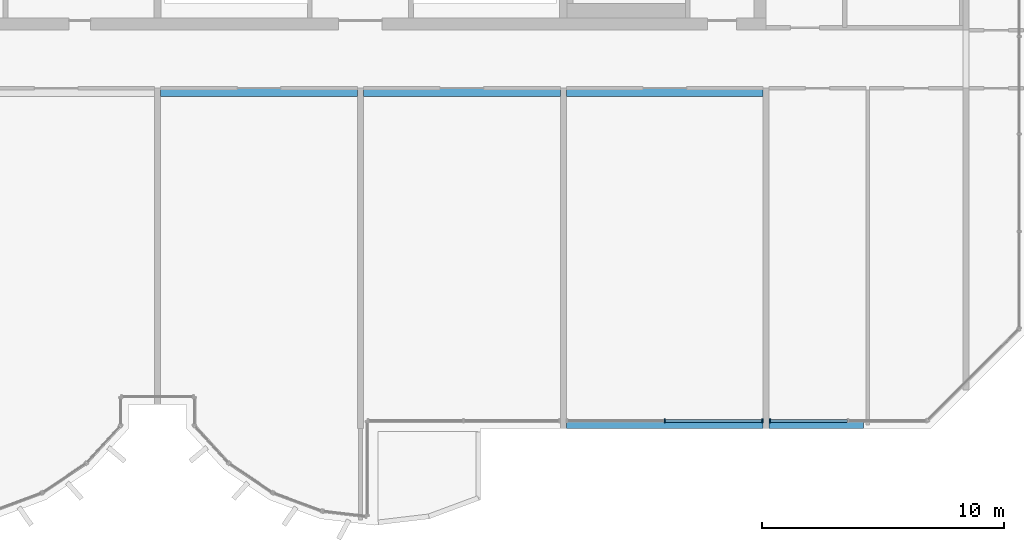
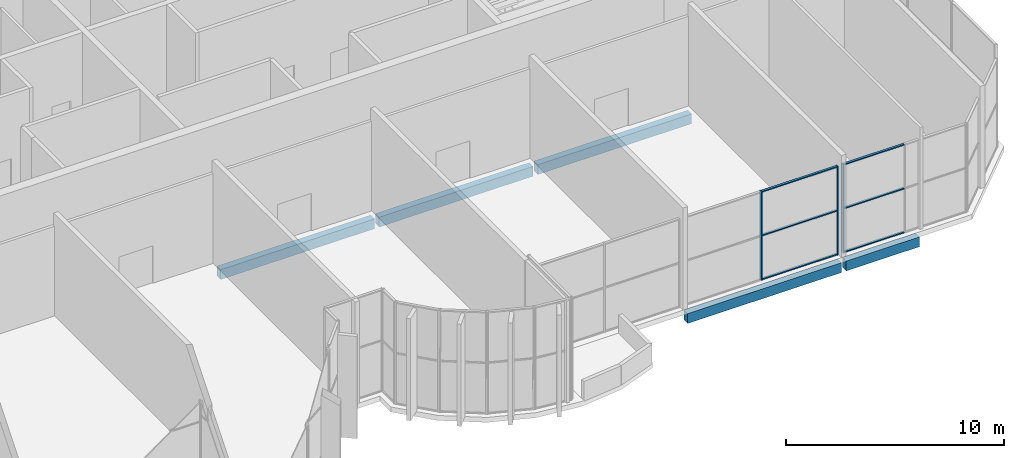
# One storey, part 5 of 17: 9 members, 5 beams, 2 elements without a shape of their own.
"""IFC4 building model written with IfcOpenShell, lengths in metres."""

from ifc_helpers import new_model, si_unit, direction, frame, origin, origin_2d, place, context, subcontext, project, spatial, rectangle, extrude, source, transform, mapped, material, material_profile, profile_set, type_object, element, aggregate, save


model = new_model("IFC4")

# Units and contexts
model_context = context("Model", 3, precision=1e-05, world=origin(), true_north=direction((0.0, 1.0)))
body_context = subcontext(model_context, "Body", "Model", "MODEL_VIEW")
ifc_project = project(units=[si_unit("LENGTHUNIT", "METRE"), si_unit("AREAUNIT", "SQUARE_METRE"), si_unit("VOLUMEUNIT", "CUBIC_METRE"), si_unit("PLANEANGLEUNIT", "RADIAN"), si_unit("MASSUNIT", "GRAM", prefix="KILO")], contexts=[model_context])

# Site, building, storey
site_placement = place(None, origin())
site = spatial("IfcSite", under=ifc_project, at=site_placement, CompositionType="ELEMENT")
building_placement = place(site_placement, origin())
building = spatial("IfcBuilding", under=site, at=building_placement, Name="Vanashikhar Sky Hotel", CompositionType="ELEMENT")
storey_placement = place(building_placement, frame((0.0, 0.0, 323.699951171875)))
storey = spatial("IfcBuildingStorey", under=building, at=storey_placement, Name="L77", CompositionType="ELEMENT", Elevation=323.699951171875)

# Beams
ifc_material_1 = material(Name="Concrete M50", Category="concrete")
ifc_material_profile_1 = material_profile(ifc_material_1, rectangle(XDim=0.35009765625, YDim=0.550048828125, at=origin_2d()))
ifc_profile_set_1 = profile_set([ifc_material_profile_1], Name="RC 350x550 beam Concrete M50")
beam_type_1 = type_object("IfcBeamType", Name="RC 350x550 beam Concrete M50", PredefinedType="SPANDREL", material=ifc_profile_set_1)
shared_shape_1 = source(origin(), body_context, "Body", "SweptSolid", [
    extrude(rectangle(XDim=0.35009765625, YDim=0.550048828125, at=origin_2d()), origin(), (0.0, 0.0, 1.0), 8.150146484375),
])
for number, where, z_axis, x_axis, name in (
    (1, (67.324951171875, 5.675048828125, -0.554931640625), (1.0, 0.0, 0.0), (0.0, 1.0, 0.0), "EB-L77-F03"),
    (2, (50.52490234375, 19.425048828125, -0.554931640625), (1.0, 0.0, 0.0), (0.0, 1.0, 0.0), "CB-L77-04"),
    (3, (67.324951171875, 19.425048828125, -0.554931640625), (1.0, 0.0, 0.0), (0.0, 1.0, 0.0), "CB-L77-06"),
):
    element("IfcBeam", number, at=place(storey_placement, frame(where, z_axis=z_axis, x_axis=x_axis)), inside=storey, type_object=beam_type_1, Name=name, PredefinedType="SPANDREL", context=body_context, shape_type="MappedRepresentation", body=[
        mapped(shared_shape_1, transform((0.0, 0.0, 0.0), scale=1.0)),
    ])
ifc_material_profile_2 = material_profile(ifc_material_1, rectangle(XDim=0.35009765625, YDim=0.550048828125, at=origin_2d()))
ifc_profile_set_2 = profile_set([ifc_material_profile_2], Name="RC 350x550 cantilever beam Concrete M50")
beam_type_2 = type_object("IfcBeamType", Name="RC 350x550 cantilever beam Concrete M50", PredefinedType="SPANDREL", material=ifc_profile_set_2)
shared_shape_2 = source(origin(), body_context, "Body", "SweptSolid", [
    extrude(rectangle(XDim=0.35009765625, YDim=0.550048828125, at=origin_2d()), origin(), (0.0, 0.0, 1.0), 3.89990234375),
])
beam_1_placement = place(storey_placement, frame((75.72509765625, 5.675048828125, -0.554931640625), z_axis=(1.0, 0.0, 0.0), x_axis=(0.0, 1.0, 0.0)))
element("IfcBeam", 4, at=beam_1_placement, inside=storey, type_object=beam_type_2, Name="EB-L77-F04", PredefinedType="SPANDREL", context=body_context, shape_type="MappedRepresentation", body=[
    mapped(shared_shape_2, transform((0.0, 0.0, 0.0), scale=1.0)),
])
shared_shape_3 = source(origin(), body_context, "Body", "SweptSolid", [
    extrude(rectangle(XDim=0.35009765625, YDim=0.550048828125, at=origin_2d()), origin(), (0.0, 0.0, 1.0), 8.14990234375),
])
beam_2_placement = place(storey_placement, frame((58.925048828125, 19.425048828125, -0.554931640625), z_axis=(1.0, 0.0, 0.0), x_axis=(0.0, 1.0, 0.0)))
element("IfcBeam", 5, at=beam_2_placement, inside=storey, type_object=beam_type_1, Name="CB-L77-05", PredefinedType="SPANDREL", context=body_context, shape_type="MappedRepresentation", body=[
    mapped(shared_shape_3, transform((0.0, 0.0, 0.0), scale=1.0)),
])

# Curtain wall, members
ifc_material_2 = material(Name="Glass", Category="glass")
curtain_wall_type = type_object("IfcCurtainWallType", Name="Sky restaurant glazing", PredefinedType="NOTDEFINED", material=ifc_material_2)
curtain_wall_1_placement = place(storey_placement, origin())
curtain_wall_1 = element("IfcCurtainWall", 6, at=curtain_wall_1_placement, inside=storey, type_object=curtain_wall_type, Name="Sky restaurant glazing", PredefinedType="NOTDEFINED")
ifc_material_3 = material(Name="Aluminium 6063-T6", Category="aluminium")
ifc_material_profile_3 = material_profile(ifc_material_3, rectangle(XDim=0.159912109375, YDim=0.06005859375, at=origin_2d()))
ifc_profile_set_3 = profile_set([ifc_material_profile_3], Name="Aluminium 6063-T6")
member_type_1 = type_object("IfcMemberType", Name="Sky restaurant mullion 60 x 160", PredefinedType="MULLION", material=ifc_profile_set_3)
shared_shape_4 = source(origin(), body_context, "Body", "SweptSolid", [
    extrude(rectangle(XDim=0.159912109375, YDim=0.06005859375, at=origin_2d()), origin(), (0.0, 0.0, 1.0), 4.969970703125),
])
member_1_placement = place(storey_placement, frame((71.39990234375, 5.824951171875, 0.0), z_axis=(0.0, 0.0, 1.0), x_axis=(0.0, 1.0, 0.0)))
member_1 = element("IfcMember", 7, at=member_1_placement, type_object=member_type_1, Name="CW-5 mullion 2", PredefinedType="MULLION", context=body_context, shape_type="MappedRepresentation", body=[
    mapped(shared_shape_4, transform((0.0, 0.0, 0.0), scale=1.0)),
])
member_2_placement = place(storey_placement, frame((75.445068359375, 5.824951171875, 0.0), z_axis=(0.0, 0.0, 1.0), x_axis=(0.0, 1.0, 0.0)))
member_2 = element("IfcMember", 8, at=member_2_placement, type_object=member_type_1, Name="CW-5 mullion 3", PredefinedType="MULLION", context=body_context, shape_type="MappedRepresentation", body=[
    mapped(shared_shape_4, transform((0.0, 0.0, 0.0), scale=1.0)),
])

curtain_wall_2_placement = place(storey_placement, origin())
curtain_wall_2 = element("IfcCurtainWall", 9, at=curtain_wall_2_placement, inside=storey, type_object=curtain_wall_type, Name="Sky restaurant glazing", PredefinedType="NOTDEFINED")
member_3_placement = place(storey_placement, frame((75.7548828125, 5.824951171875, 0.0), z_axis=(0.0, 0.0, 1.0), x_axis=(0.0, 1.0, 0.0)))
member_3 = element("IfcMember", 10, at=member_3_placement, type_object=member_type_1, Name="CW-5 mullion 1", PredefinedType="MULLION", context=body_context, shape_type="MappedRepresentation", body=[
    mapped(shared_shape_4, transform((0.0, 0.0, 0.0), scale=1.0)),
])
ifc_material_profile_4 = material_profile(ifc_material_3, rectangle(XDim=0.1201171875, YDim=0.06005859375, at=origin_2d()))
ifc_profile_set_4 = profile_set([ifc_material_profile_4], Name="Aluminium 6063-T6")
member_type_2 = type_object("IfcMemberType", Name="Sky restaurant transom 60 x 120", PredefinedType="USERDEFINED", material=ifc_profile_set_4)
shared_shape_5 = source(origin(), body_context, "Body", "SweptSolid", [
    extrude(rectangle(XDim=0.1201171875, YDim=0.06005859375, at=origin_2d()), origin(), (0.0, 0.0, 1.0), 3.18017578125),
])
member_4_placement = place(storey_placement, frame((75.784912109375, 5.824951171875, 0.030029296875), z_axis=(1.0, 0.0, 0.0), x_axis=(0.0, 1.0, 0.0)))
member_4 = element("IfcMember", 11, at=member_4_placement, type_object=member_type_2, Name="CW-5 transom 1.1", ObjectType="TRANSOM", PredefinedType="USERDEFINED", context=body_context, shape_type="MappedRepresentation", body=[
    mapped(shared_shape_5, transform((0.0, 0.0, 0.0), scale=1.0)),
])
member_5_placement = place(storey_placement, frame((75.784912109375, 5.824951171875, 2.485107421875), z_axis=(1.0, 0.0, 0.0), x_axis=(0.0, 1.0, 0.0)))
member_5 = element("IfcMember", 12, at=member_5_placement, type_object=member_type_2, Name="CW-5 transom 1.2", ObjectType="TRANSOM", PredefinedType="USERDEFINED", context=body_context, shape_type="MappedRepresentation", body=[
    mapped(shared_shape_5, transform((0.0, 0.0, 0.0), scale=1.0)),
])
member_6_placement = place(storey_placement, frame((75.784912109375, 5.824951171875, 4.93994140625), z_axis=(1.0, 0.0, 0.0), x_axis=(0.0, 1.0, 0.0)))
member_6 = element("IfcMember", 13, at=member_6_placement, type_object=member_type_2, Name="CW-5 transom 1.3", ObjectType="TRANSOM", PredefinedType="USERDEFINED", context=body_context, shape_type="MappedRepresentation", body=[
    mapped(shared_shape_5, transform((0.0, 0.0, 0.0), scale=1.0)),
])
aggregate(curtain_wall_2, [member_3, member_4, member_5, member_6])

# Member
shared_shape_6 = source(origin(), body_context, "Body", "SweptSolid", [
    extrude(rectangle(XDim=0.1201171875, YDim=0.06005859375, at=origin_2d()), origin(), (0.0, 0.0, 1.0), 3.985107421875),
])
member_7_placement = place(storey_placement, frame((71.429931640625, 5.824951171875, 0.030029296875), z_axis=(1.0, 0.0, 0.0), x_axis=(0.0, 1.0, 0.0)))
member_7 = element("IfcMember", 14, at=member_7_placement, type_object=member_type_2, Name="CW-5 transom 2.1", ObjectType="TRANSOM", PredefinedType="USERDEFINED", context=body_context, shape_type="MappedRepresentation", body=[
    mapped(shared_shape_6, transform((0.0, 0.0, 0.0), scale=1.0)),
])

member_8_placement = place(storey_placement, frame((71.429931640625, 5.824951171875, 2.485107421875), z_axis=(1.0, 0.0, 0.0), x_axis=(0.0, 1.0, 0.0)))
member_8 = element("IfcMember", 15, at=member_8_placement, type_object=member_type_2, Name="CW-5 transom 2.2", ObjectType="TRANSOM", PredefinedType="USERDEFINED", context=body_context, shape_type="MappedRepresentation", body=[
    mapped(shared_shape_6, transform((0.0, 0.0, 0.0), scale=1.0)),
])

member_9_placement = place(storey_placement, frame((71.429931640625, 5.824951171875, 4.93994140625), z_axis=(1.0, 0.0, 0.0), x_axis=(0.0, 1.0, 0.0)))
member_9 = element("IfcMember", 16, at=member_9_placement, type_object=member_type_2, Name="CW-5 transom 2.3", ObjectType="TRANSOM", PredefinedType="USERDEFINED", context=body_context, shape_type="MappedRepresentation", body=[
    mapped(shared_shape_6, transform((0.0, 0.0, 0.0), scale=1.0)),
])

aggregate(curtain_wall_1, [member_1, member_2, member_7, member_8, member_9])

save(model, "model.ifc")
